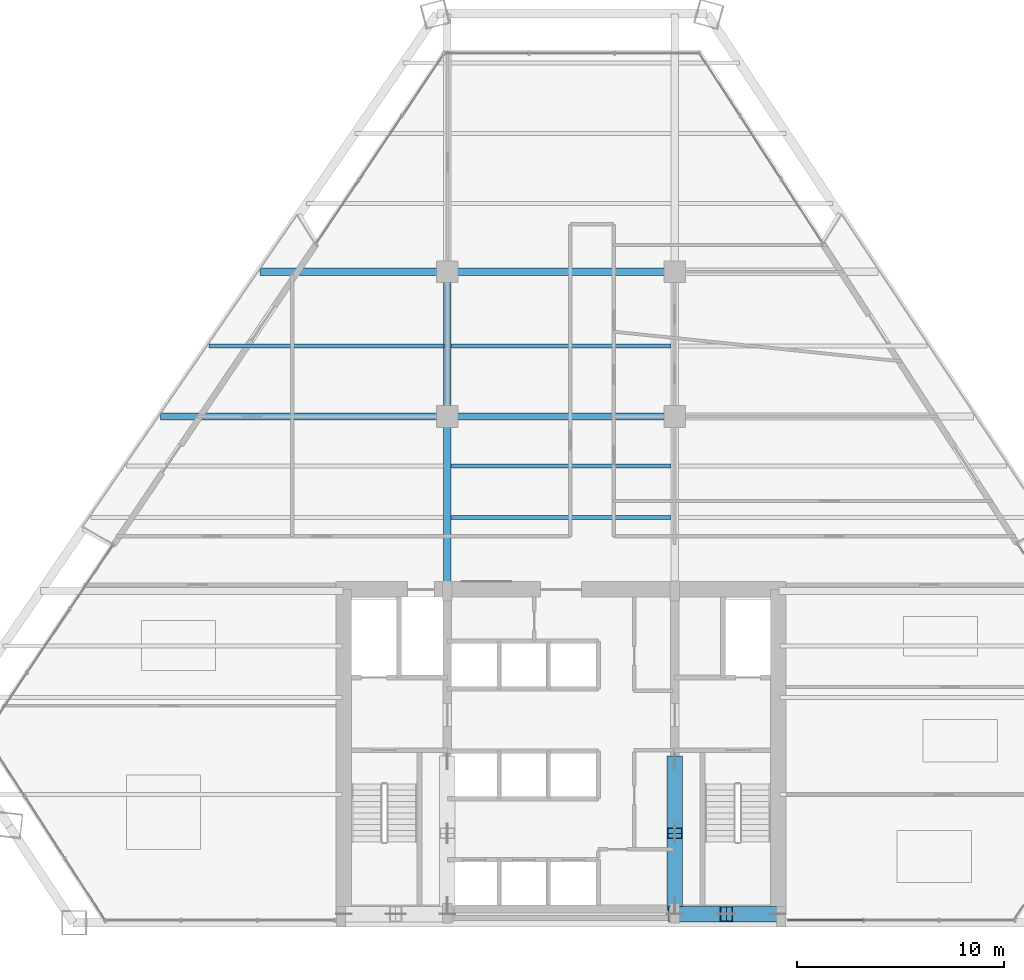
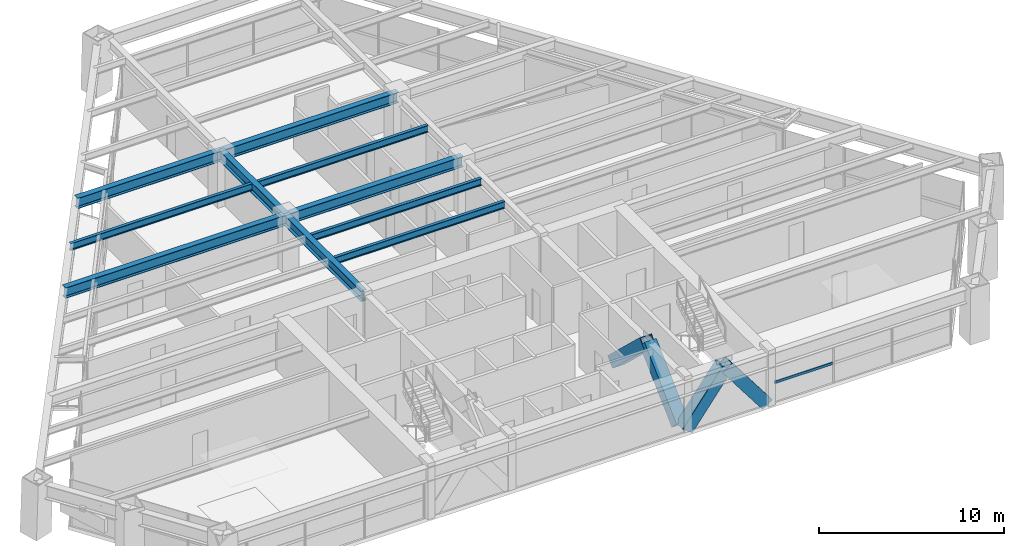
# One storey, part 5 of 14: 10 beams, 5 members, 1 element without a shape of its own.
"""IFC4 building model written with IfcOpenShell, lengths in metres."""

from ifc_helpers import new_model, si_unit, direction, frame, origin, origin_2d, place, context, subcontext, project, spatial, rectangle, hollow_rectangle, i_section, extrude, source, transform, mapped, material, material_profile, profile_set, type_object, type_shapes, element, aggregate, save


model = new_model("IFC4")

# Units and contexts
model_context = context("Model", 3, precision=1e-05, world=origin(), true_north=direction((0.0, 1.0)))
body_context = subcontext(model_context, "Body", "Model", "MODEL_VIEW")
ifc_project = project(units=[si_unit("LENGTHUNIT", "METRE"), si_unit("AREAUNIT", "SQUARE_METRE"), si_unit("VOLUMEUNIT", "CUBIC_METRE"), si_unit("PLANEANGLEUNIT", "RADIAN"), si_unit("MASSUNIT", "GRAM", prefix="KILO")], contexts=[model_context])

# Site, building, storey
site_placement = place(None, origin())
site = spatial("IfcSite", under=ifc_project, at=site_placement, CompositionType="ELEMENT")
building_placement = place(site_placement, origin())
building = spatial("IfcBuilding", under=site, at=building_placement, Name="Varnakhor Terracotta Tower", CompositionType="ELEMENT")
storey_placement = place(building_placement, frame((0.0, 0.0, 91.39990234375)))
storey = spatial("IfcBuildingStorey", under=building, at=storey_placement, Name="L22", CompositionType="ELEMENT", Elevation=91.39990234375)

# Beams
ifc_material_1 = material(Name="Steel S355", Category="steel")
ifc_material_profile_1 = material_profile(ifc_material_1, i_section(OverallWidth=0.35498046875, OverallDepth=0.695068359375, WebThickness=0.014892578125, FlangeThickness=0.02490234375, FilletRadius=0.01806640625, at=origin_2d()), Name="W27X146")
ifc_profile_set_1 = profile_set([ifc_material_profile_1], Name="Steel S355")
beam_type_1 = type_object("IfcBeamType", Name="BM-W27X146", PredefinedType="BEAM", material=ifc_profile_set_1)
shared_shape_1 = source(origin(), body_context, "Body", "SweptSolid", [
    extrude(i_section(OverallWidth=0.35498046875, OverallDepth=0.695068359375, WebThickness=0.014892578125, FlangeThickness=0.02490234375, FilletRadius=0.01806640625, at=origin_2d()), origin(), (0.0, 0.0, 1.0), 8.449951171875),
])
type_shapes(beam_type_1, [shared_shape_1])
beam_1_placement = place(storey_placement, frame((-5.5, 16.050048828125, 3.1025390625), z_axis=(0.0, 1.0, 0.0), x_axis=(-1.0, 0.0, 0.0)))
element("IfcBeam", 1, at=beam_1_placement, inside=storey, type_object=beam_type_1, Name="L22 Primary Girder NS1-W", PredefinedType="BEAM", context=body_context, shape_type="MappedRepresentation", body=[
    mapped(shared_shape_1, transform((0.0, 0.0, 0.0), scale=1.0)),
])
shared_shape_2 = source(origin(), body_context, "Body", "SweptSolid", [
    extrude(i_section(OverallWidth=0.35498046875, OverallDepth=0.695068359375, WebThickness=0.014892578125, FlangeThickness=0.02490234375, FilletRadius=0.01806640625, at=origin_2d()), origin(), (0.0, 0.0, 1.0), 7.0),
])
beam_2_placement = place(storey_placement, frame((-5.5, 24.5, 3.1025390625), z_axis=(0.0, 1.0, 0.0), x_axis=(-1.0, 0.0, 0.0)))
element("IfcBeam", 2, at=beam_2_placement, inside=storey, type_object=beam_type_1, Name="L22 Primary Girder NS2-W", PredefinedType="BEAM", context=body_context, shape_type="MappedRepresentation", body=[
    mapped(shared_shape_2, transform((0.0, 0.0, 0.0), scale=1.0)),
])
shared_shape_3 = source(origin(), body_context, "Body", "SweptSolid", [
    extrude(i_section(OverallWidth=0.35498046875, OverallDepth=0.695068359375, WebThickness=0.014892578125, FlangeThickness=0.02490234375, FilletRadius=0.01806640625, at=origin_2d()), origin(), (0.0, 0.0, 1.0), 11.0),
])
for number, where, z_axis, x_axis, name in (
    (3, (-5.5, 24.5, 3.1025390625), (1.0, 0.0, 0.0), (0.0, 1.0, 0.0), "L22 Primary Girder EW2-2"),
    (4, (-5.5, 31.5, 3.1025390625), (1.0, 0.0, 0.0), (0.0, 1.0, 0.0), "L22 Primary Girder EW3-2"),
):
    element("IfcBeam", number, at=place(storey_placement, frame(where, z_axis=z_axis, x_axis=x_axis)), inside=storey, type_object=beam_type_1, Name=name, PredefinedType="BEAM", context=body_context, shape_type="MappedRepresentation", body=[
        mapped(shared_shape_3, transform((0.0, 0.0, 0.0), scale=1.0)),
    ])
ifc_material_profile_2 = material_profile(ifc_material_1, i_section(OverallWidth=0.19189453125, OverallDepth=0.462890625, WebThickness=0.010498046875, FlangeThickness=0.017578125, FilletRadius=0.01806640625, at=origin_2d()), Name="W18X60")
ifc_profile_set_2 = profile_set([ifc_material_profile_2], Name="Steel S355")
beam_type_2 = type_object("IfcBeamType", Name="JST-W18X60", PredefinedType="JOIST", material=ifc_profile_set_2)
shared_shape_4 = source(origin(), body_context, "Body", "SweptSolid", [
    extrude(i_section(OverallWidth=0.19189453125, OverallDepth=0.462890625, WebThickness=0.010498046875, FlangeThickness=0.017578125, FilletRadius=0.01806640625, at=origin_2d()), origin(), (0.0, 0.0, 1.0), 10.65283203125),
])
for number, where, z_axis, x_axis, name in (
    (5, (-5.326416015625, 19.60009765625, 3.218505859375), (1.0, 0.0, 0.0), (0.0, 1.0, 0.0), "L22 Composite Floor Joist 4-2"),
    (6, (-5.326416015625, 22.10009765625, 3.218505859375), (1.0, 0.0, 0.0), (0.0, 1.0, 0.0), "L22 Composite Floor Joist 5-2"),
    (7, (-5.326416015625, 27.89990234375, 3.218505859375), (1.0, 0.0, 0.0), (0.0, 1.0, 0.0), "L22 Composite Floor Joist 6-2"),
):
    element("IfcBeam", number, at=place(storey_placement, frame(where, z_axis=z_axis, x_axis=x_axis)), inside=storey, type_object=beam_type_2, Name=name, PredefinedType="JOIST", context=body_context, shape_type="MappedRepresentation", body=[
        mapped(shared_shape_4, transform((0.0, 0.0, 0.0), scale=1.0)),
    ])

# Members
ifc_material_2 = material(Name="Steel S460", Category="steel")
ifc_material_profile_3 = material_profile(ifc_material_2, hollow_rectangle(XDim=0.75, YDim=0.75, WallThickness=0.044921875, at=origin_2d()), Name="HSS750X750X45")
ifc_profile_set_3 = profile_set([ifc_material_profile_3], Name="Steel S460")
member_type_1 = type_object("IfcMemberType", Name="MBR-MEGA-750", PredefinedType="BRACE", material=ifc_profile_set_3)
shared_shape_5 = source(origin(), body_context, "Body", "SweptSolid", [
    extrude(hollow_rectangle(XDim=0.75, YDim=0.75, WallThickness=0.044921875, at=origin_2d()), origin(), (0.0, 0.0, 1.0), 4.14013671875),
])
type_shapes(member_type_1, [shared_shape_5])
for number, where, z_axis, x_axis, name in (
    (8, (5.5, 0.419921875, 0.0), (0.603852011179, 0.0, 0.797096448741), (0.0, 1.0, 0.0), "L22 Core Coupled Brace CSEA"),
    (9, (10.5, 0.419921875, 0.0), (-0.603852011179, 0.0, 0.797096448741), (0.0, -1.0, 0.0), "L22 Core Coupled Brace CSEB"),
):
    element("IfcMember", number, at=place(storey_placement, frame(where, z_axis=z_axis, x_axis=x_axis)), inside=storey, type_object=member_type_1, Name=name, PredefinedType="BRACE", context=body_context, shape_type="MappedRepresentation", body=[
        mapped(shared_shape_5, transform((0.0, 0.0, 0.0), scale=1.0)),
    ])
shared_shape_6 = source(origin(), body_context, "Body", "SweptSolid", [
    extrude(hollow_rectangle(XDim=0.75, YDim=0.75, WallThickness=0.044921875, at=origin_2d()), origin(), (0.0, 0.0, 1.0), 4.792236328125),
])
for number, where, z_axis, x_axis, name in (
    (10, (5.5, 0.85009765625, 0.0), (0.0, 0.725110085518, 0.688632967466), (-1.0, 0.0, 0.0), "L22 Core Coupled Brace CWEA"),
    (11, (5.5, 7.800048828125, 0.0), (0.0, -0.72513424341, 0.688607529028), (1.0, 0.0, 0.0), "L22 Core Coupled Brace CWEB"),
):
    element("IfcMember", number, at=place(storey_placement, frame(where, z_axis=z_axis, x_axis=x_axis)), inside=storey, type_object=member_type_1, Name=name, PredefinedType="BRACE", context=body_context, shape_type="MappedRepresentation", body=[
        mapped(shared_shape_6, transform((0.0, 0.0, 0.0), scale=1.0)),
    ])

# Beams
shared_shape_7 = source(origin(), body_context, "Body", "SweptSolid", [
    extrude(i_section(OverallWidth=0.35498046875, OverallDepth=0.695068359375, WebThickness=0.014892578125, FlangeThickness=0.02490234375, FilletRadius=0.01806640625, at=origin_2d()), origin(), (0.0, 0.0, 1.0), 13.87939453125),
])
beam_3_placement = place(storey_placement, frame((-19.37939453125, 24.5, 3.1025390625), z_axis=(1.0, 0.0, 0.0), x_axis=(0.0, 1.0, 0.0)))
element("IfcBeam", 12, at=beam_3_placement, inside=storey, type_object=beam_type_1, Name="L22 Primary Girder EW2-1", PredefinedType="BEAM", context=body_context, shape_type="MappedRepresentation", body=[
    mapped(shared_shape_7, transform((0.0, 0.0, 0.0), scale=1.0)),
])
shared_shape_8 = source(origin(), body_context, "Body", "SweptSolid", [
    extrude(i_section(OverallWidth=0.35498046875, OverallDepth=0.695068359375, WebThickness=0.014892578125, FlangeThickness=0.02490234375, FilletRadius=0.01806640625, at=origin_2d()), origin(), (0.0, 0.0, 1.0), 9.073486328125),
])
beam_4_placement = place(storey_placement, frame((-14.573486328125, 31.5, 3.1025390625), z_axis=(1.0, 0.0, 0.0), x_axis=(0.0, 1.0, 0.0)))
element("IfcBeam", 13, at=beam_4_placement, inside=storey, type_object=beam_type_1, Name="L22 Primary Girder EW3-1", PredefinedType="BEAM", context=body_context, shape_type="MappedRepresentation", body=[
    mapped(shared_shape_8, transform((0.0, 0.0, 0.0), scale=1.0)),
])
shared_shape_9 = source(origin(), body_context, "Body", "SweptSolid", [
    extrude(i_section(OverallWidth=0.19189453125, OverallDepth=0.462890625, WebThickness=0.010498046875, FlangeThickness=0.017578125, FilletRadius=0.01806640625, at=origin_2d()), origin(), (0.0, 0.0, 1.0), 11.37158203125),
])
beam_5_placement = place(storey_placement, frame((-17.045166015625, 27.89990234375, 3.218505859375), z_axis=(1.0, 0.0, 0.0), x_axis=(0.0, 1.0, 0.0)))
element("IfcBeam", 14, at=beam_5_placement, inside=storey, type_object=beam_type_2, Name="L22 Composite Floor Joist 6-1", PredefinedType="JOIST", context=body_context, shape_type="MappedRepresentation", body=[
    mapped(shared_shape_9, transform((0.0, 0.0, 0.0), scale=1.0)),
])

# Curtain wall, member
ifc_material_3 = material(Name="Anodised Aluminium Curtain Wall System", Category="aluminium")
curtain_wall_type = type_object("IfcCurtainWallType", Name="CW-SYS-LOW-OFFICE", PredefinedType="NOTDEFINED", material=ifc_material_3)
curtain_wall_placement = place(storey_placement, origin())
curtain_wall = element("IfcCurtainWall", 15, at=curtain_wall_placement, inside=storey, type_object=curtain_wall_type, Name="L22 South Wing Curtain Wall SSE", PredefinedType="NOTDEFINED")
ifc_material_4 = material(Name="Anodised Aluminium 6063-T6", Category="aluminium")
ifc_material_profile_4 = material_profile(ifc_material_4, rectangle(XDim=0.074951171875, YDim=0.1650390625, at=origin_2d()), Name="ALU TRANSOM 75x165")
ifc_profile_set_4 = profile_set([ifc_material_profile_4], Name="Anodised Aluminium 6063-T6")
member_type_2 = type_object("IfcMemberType", Name="CWT-02", PredefinedType="USERDEFINED", material=ifc_profile_set_4)
shared_shape_10 = source(origin(), body_context, "Body", "SweptSolid", [
    extrude(rectangle(XDim=0.074951171875, YDim=0.1650390625, at=origin_2d()), origin(), (0.0, 0.0, 1.0), 3.665283203125),
])
member_placement = place(storey_placement, frame((14.63525390625, 0.1201171875, 1.272705078125), z_axis=(-1.0, 0.0, 0.0), x_axis=(0.0, -1.0, 0.0)))
member = element("IfcMember", 16, at=member_placement, type_object=member_type_2, Name="L22 South Wing Curtain Wall SSE Transom 3", ObjectType="TRANSOM", PredefinedType="USERDEFINED", context=body_context, shape_type="MappedRepresentation", body=[
    mapped(shared_shape_10, transform((0.0, 0.0, 0.0), scale=1.0)),
])
aggregate(curtain_wall, [member])

save(model, "model.ifc")
